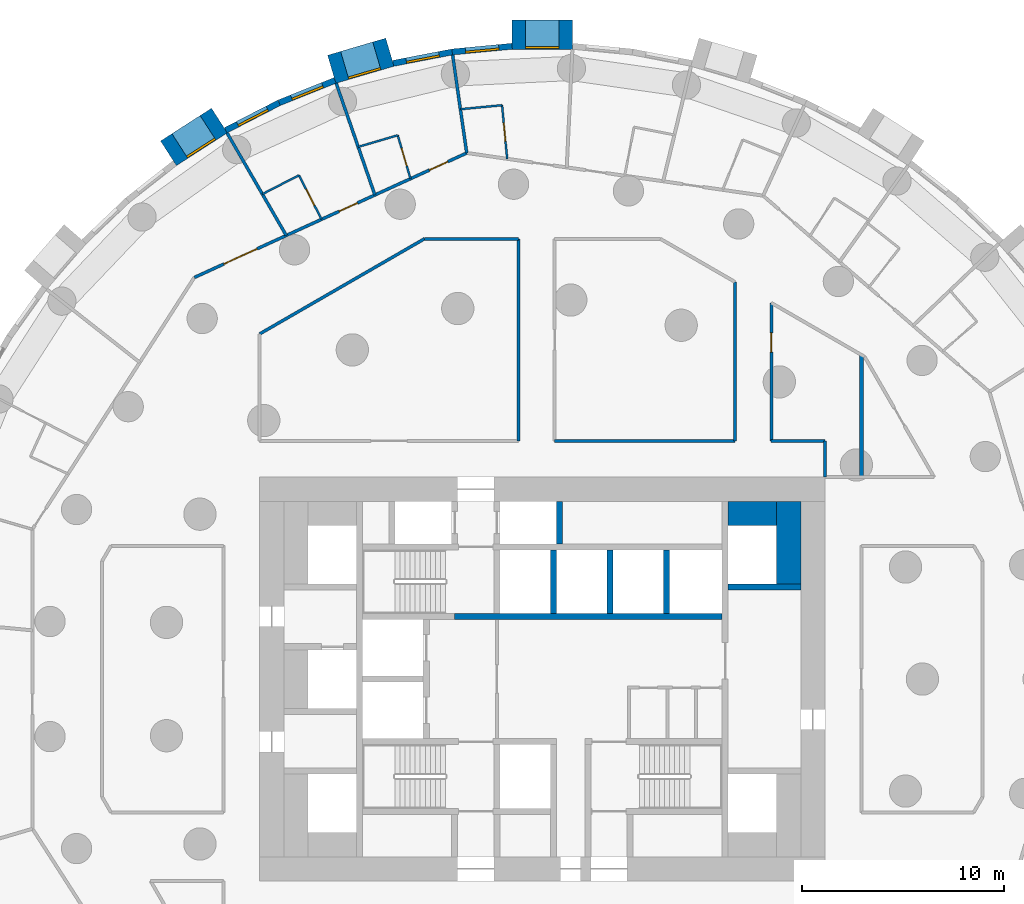
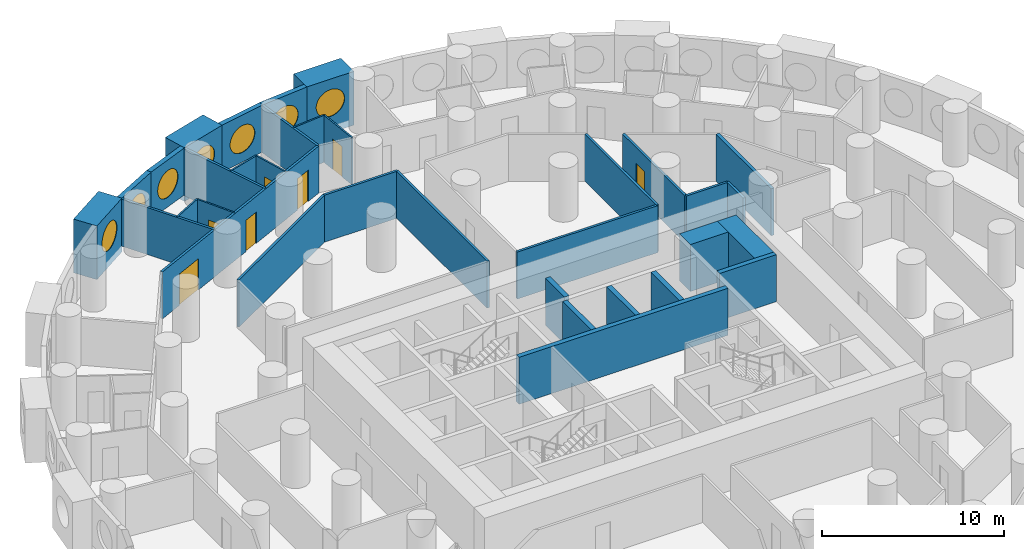
# One storey, part 8 of 12: 34 walls, 7 doors, 7 windows, 14 openings.
"""IFC4 building model written with IfcOpenShell, lengths in metres."""

from ifc_helpers import new_model, si_unit, direction, frame, frame_2d, origin, origin_2d, place, context, subcontext, project, spatial, rectangle, circle, extrude, material, layer, layer_set, type_object, element, fill, save


model = new_model("IFC4")

# Units and contexts
model_context = context("Model", 3, precision=1e-05, world=origin(), true_north=direction((0.0, 1.0)))
body_context = subcontext(model_context, "Body", "Model", "MODEL_VIEW")
ifc_project = project(units=[si_unit("LENGTHUNIT", "METRE"), si_unit("AREAUNIT", "SQUARE_METRE"), si_unit("VOLUMEUNIT", "CUBIC_METRE"), si_unit("PLANEANGLEUNIT", "RADIAN"), si_unit("MASSUNIT", "GRAM", prefix="KILO")], contexts=[model_context])

# Site, building, storey
site_placement = place(None, origin())
site = spatial("IfcSite", under=ifc_project, at=site_placement, CompositionType="ELEMENT")
building_placement = place(site_placement, origin())
building = spatial("IfcBuilding", under=site, at=building_placement, Name="Tracery Tower", CompositionType="ELEMENT")
storey_placement = place(building_placement, frame((0.0, 0.0, 57.0)))
storey = spatial("IfcBuildingStorey", under=building, at=storey_placement, Name="L13", CompositionType="ELEMENT", Elevation=57.0)

# Walls
ifc_material_1 = material(Name="Concrete C60/75", Category="concrete")
ifc_layer_1 = layer(ifc_material_1, 1.199951171875)
ifc_layer_set_1 = layer_set([ifc_layer_1], Name="Core strip wall 1200 C60")
wall_type_1 = type_object("IfcWallType", Name="Core strip wall 1200 C60", PredefinedType="SOLIDWALL", material=ifc_layer_set_1)
wall_1_placement = place(storey_placement, frame((12.199951171875, 4.699951171875, 0.0), z_axis=(0.0, 0.0, 1.0), x_axis=(0.0, 1.0, 0.0)))
element("IfcWall", 1, at=wall_1_placement, inside=storey, type_object=wall_type_1, Name="L13 wing strip +1 4.55", PredefinedType="SOLIDWALL", context=body_context, shape_type="SweptSolid", body=[
    extrude(rectangle(XDim=4.10009765625, YDim=1.199951171875, at=frame_2d((2.050048828125, 0.0))), origin(), (0.0, 0.0, 1.0), 3.14990234375),
])
wall_2_placement = place(storey_placement, frame((9.199951171875, 8.199951171875, 0.0), z_axis=(0.0, 0.0, 1.0), x_axis=(1.0, 0.0, 0.0)))
element("IfcWall", 2, at=wall_2_placement, inside=storey, type_object=wall_type_1, Name="L13 wing corner +1 +8.2", PredefinedType="SOLIDWALL", context=body_context, shape_type="SweptSolid", body=[
    extrude(rectangle(XDim=2.400146484375, YDim=1.199951171875, at=frame_2d((1.2001953125, 0.0))), origin(), (0.0, 0.0, 1.0), 3.14990234375),
])

# Wall, opening, window
ifc_material_2 = material(Name="Precast concrete C50/60", Category="concrete")
ifc_layer_2 = layer(ifc_material_2, 1.449951171875)
ifc_layer_set_2 = layer_set([ifc_layer_2], Name="Deep-set bay unit 3000 x 3600, slab edge 450")
wall_type_2 = type_object("IfcWallType", Name="Deep-set bay unit 3000 x 3600, slab edge 450", PredefinedType="ELEMENTEDWALL", material=ifc_layer_set_2)
wall_3_placement = place(storey_placement, frame((1.5, 31.913818359375, -0.449951171875), z_axis=(0.0, 0.0, 1.0), x_axis=(-1.0, 0.0, 0.0)))
wall_3 = element("IfcWall", 3, at=wall_3_placement, inside=storey, type_object=wall_type_2, Name="Deep-set bay unit 17 at L13", PredefinedType="ELEMENTEDWALL", context=body_context, shape_type="SweptSolid", body=[
    extrude(rectangle(XDim=3.0, YDim=1.449951171875, at=frame_2d((1.5, 0.0))), origin(), (0.0, 0.0, 1.0), 3.599853515625),
])
opening_1_placement = place(wall_3_placement, frame((1.5, 0.0, 2.0)))
opening_1 = element("IfcOpeningElement", 4, at=opening_1_placement, cuts=wall_3, Name="Opening WN1", PredefinedType="OPENING", context=body_context, shape_type="SweptSolid", body=[
    extrude(circle(Radius=0.9000244140625, at=origin_2d()), frame((0.0, 0.73486328125, 0.0), z_axis=(0.0, -1.0, 0.0), x_axis=(1.0, 0.0, 0.0)), (0.0, 0.0, 1.0), 1.469970703125),
])
ifc_material_3 = material(Name="Aluminium frame with tinted double glazing", Category="aluminium")
window_type = type_object("IfcWindowType", Name="Round window 1800", PartitioningType="SINGLE_PANEL", PredefinedType="WINDOW", material=ifc_material_3)
window_1_placement = place(opening_1_placement, origin())
window_1 = element("IfcWindow", 5, at=window_1_placement, inside=storey, type_object=window_type, Name="Round window 17 at L13", OverallHeight=1.800048828125, OverallWidth=1.800048828125, PartitioningType="SINGLE_PANEL", PredefinedType="WINDOW", context=body_context, shape_type="SweptSolid", body=[
    extrude(circle(Radius=0.9000244140625, at=origin_2d()), frame((0.0, 0.69482421875, 0.0), z_axis=(0.0, -1.0, 0.0), x_axis=(1.0, 0.0, 0.0)), (0.0, 0.0, 1.0), 0.10009765625),
])
fill(opening_1, window_1)

wall_4_placement = place(storey_placement, frame((-7.552001953125, 31.043701171875, -0.449951171875), z_axis=(0.0, 0.0, 1.0), x_axis=(-0.959489813418, -0.281743319258, 0.0)))
wall_4 = element("IfcWall", 6, at=wall_4_placement, inside=storey, type_object=wall_type_2, Name="Deep-set bay unit 20 at L13", PredefinedType="ELEMENTEDWALL", context=body_context, shape_type="SweptSolid", body=[
    extrude(rectangle(XDim=3.0, YDim=1.449951171875, at=frame_2d((1.5, 0.0))), origin(), (0.0, 0.0, 1.0), 3.599853515625),
])
opening_2_placement = place(wall_4_placement, frame((1.5, 0.0, 2.0)))
opening_2 = element("IfcOpeningElement", 7, at=opening_2_placement, cuts=wall_4, Name="Opening WN1", PredefinedType="OPENING", context=body_context, shape_type="SweptSolid", body=[
    extrude(circle(Radius=0.9000244140625, at=origin_2d()), frame((0.0, 0.73486328125, 0.0), z_axis=(0.0, -1.0, 0.0), x_axis=(1.0, 0.0, 0.0)), (0.0, 0.0, 1.0), 1.469970703125),
])
window_2_placement = place(opening_2_placement, origin())
window_2 = element("IfcWindow", 8, at=window_2_placement, inside=storey, type_object=window_type, Name="Round window 20 at L13", OverallHeight=1.800048828125, OverallWidth=1.800048828125, PartitioningType="SINGLE_PANEL", PredefinedType="WINDOW", context=body_context, shape_type="SweptSolid", body=[
    extrude(circle(Radius=0.9000244140625, at=origin_2d()), frame((0.0, 0.69482421875, 0.0), z_axis=(0.0, -1.0, 0.0), x_axis=(1.0, 0.0, 0.0)), (0.0, 0.0, 1.0), 0.10009765625),
])
fill(opening_2, window_2)

wall_5_placement = place(storey_placement, frame((-15.9921875, 27.65869140625, -0.449951171875), z_axis=(0.0, 0.0, 1.0), x_axis=(-0.841223422347, -0.540687667415, 0.0)))
wall_5 = element("IfcWall", 9, at=wall_5_placement, inside=storey, type_object=wall_type_2, Name="Deep-set bay unit 23 at L13", PredefinedType="ELEMENTEDWALL", context=body_context, shape_type="SweptSolid", body=[
    extrude(rectangle(XDim=3.0, YDim=1.449951171875, at=frame_2d((1.5, 0.0))), origin(), (0.0, 0.0, 1.0), 3.599853515625),
])
opening_3_placement = place(wall_5_placement, frame((1.5, 0.0, 2.0)))
opening_3 = element("IfcOpeningElement", 10, at=opening_3_placement, cuts=wall_5, Name="Opening WN1", PredefinedType="OPENING", context=body_context, shape_type="SweptSolid", body=[
    extrude(circle(Radius=0.9000244140625, at=origin_2d()), frame((0.0, 0.73486328125, 0.0), z_axis=(0.0, -1.0, 0.0), x_axis=(1.0, 0.0, 0.0)), (0.0, 0.0, 1.0), 1.469970703125),
])
window_3_placement = place(opening_3_placement, origin())
window_3 = element("IfcWindow", 11, at=window_3_placement, inside=storey, type_object=window_type, Name="Round window 23 at L13", OverallHeight=1.800048828125, OverallWidth=1.800048828125, PartitioningType="SINGLE_PANEL", PredefinedType="WINDOW", context=body_context, shape_type="SweptSolid", body=[
    extrude(circle(Radius=0.9000244140625, at=origin_2d()), frame((0.0, 0.69482421875, 0.0), z_axis=(0.0, -1.0, 0.0), x_axis=(1.0, 0.0, 0.0)), (0.0, 0.0, 1.0), 0.10009765625),
])
fill(opening_3, window_3)

ifc_material_4 = material(Name="Precast concrete C50/60", Category="concrete")
ifc_layer_3 = layer(ifc_material_4, 0.300048828125)
ifc_layer_set_3 = layer_set([ifc_layer_3], Name="Facade panel 3000 x 3150")
wall_type_3 = type_object("IfcWallType", Name="Facade panel 3000 x 3150", PredefinedType="SOLIDWALL", material=ifc_layer_set_3)
wall_6_placement = place(storey_placement, frame((-1.498779296875, 31.33837890625, 0.0), z_axis=(0.0, 0.0, 1.0), x_axis=(-0.995473351551, -0.095041077185, 0.0)))
wall_6 = element("IfcWall", 12, at=wall_6_placement, inside=storey, type_object=wall_type_3, Name="Facade panel 18 at L13", PredefinedType="SOLIDWALL", context=body_context, shape_type="SweptSolid", body=[
    extrude(rectangle(XDim=2.979736328125, YDim=0.300048828125, at=frame_2d((1.48974609375, 0.0))), origin(), (0.0, 0.0, 1.0), 3.14990234375),
])
opening_4_placement = place(wall_6_placement, frame((1.48974609375, 0.0, 1.5498046875)))
opening_4 = element("IfcOpeningElement", 13, at=opening_4_placement, cuts=wall_6, Name="Opening WN1", PredefinedType="OPENING", context=body_context, shape_type="SweptSolid", body=[
    extrude(circle(Radius=0.9000244140625, at=origin_2d()), frame((0.0, 0.159912109375, 0.0), z_axis=(0.0, -1.0, 0.0), x_axis=(1.0, 0.0, 0.0)), (0.0, 0.0, 1.0), 0.320068359375),
])
window_4_placement = place(opening_4_placement, origin())
window_4 = element("IfcWindow", 14, at=window_4_placement, inside=storey, type_object=window_type, Name="Round window 18 at L13", OverallHeight=1.800048828125, OverallWidth=1.800048828125, PartitioningType="SINGLE_PANEL", PredefinedType="WINDOW", context=body_context, shape_type="SweptSolid", body=[
    extrude(circle(Radius=0.9000244140625, at=origin_2d()), frame((0.0, 0.1201171875, 0.0), z_axis=(0.0, -1.0, 0.0), x_axis=(1.0, 0.0, 0.0)), (0.0, 0.0, 1.0), 0.10009765625),
])
fill(opening_4, window_4)

wall_7_placement = place(storey_placement, frame((-4.465087890625, 31.05517578125, 0.0), z_axis=(0.0, 0.0, 1.0), x_axis=(-0.981924535406, -0.189272836848, 0.0)))
wall_7 = element("IfcWall", 15, at=wall_7_placement, inside=storey, type_object=wall_type_3, Name="Facade panel 19 at L13", PredefinedType="SOLIDWALL", context=body_context, shape_type="SweptSolid", body=[
    extrude(rectangle(XDim=2.979736328125, YDim=0.300048828125, at=frame_2d((1.48974609375, 0.0))), origin(), (0.0, 0.0, 1.0), 3.14990234375),
])
opening_5_placement = place(wall_7_placement, frame((1.48974609375, 0.0, 1.5498046875)))
opening_5 = element("IfcOpeningElement", 16, at=opening_5_placement, cuts=wall_7, Name="Opening WN1", PredefinedType="OPENING", context=body_context, shape_type="SweptSolid", body=[
    extrude(circle(Radius=0.9000244140625, at=origin_2d()), frame((0.0, 0.159912109375, 0.0), z_axis=(0.0, -1.0, 0.0), x_axis=(1.0, 0.0, 0.0)), (0.0, 0.0, 1.0), 0.320068359375),
])
window_5_placement = place(opening_5_placement, origin())
window_5 = element("IfcWindow", 17, at=window_5_placement, inside=storey, type_object=window_type, Name="Round window 19 at L13", OverallHeight=1.800048828125, OverallWidth=1.800048828125, PartitioningType="SINGLE_PANEL", PredefinedType="WINDOW", context=body_context, shape_type="SweptSolid", body=[
    extrude(circle(Radius=0.9000244140625, at=origin_2d()), frame((0.0, 0.1201171875, 0.0), z_axis=(0.0, -1.0, 0.0), x_axis=(1.0, 0.0, 0.0)), (0.0, 0.0, 1.0), 0.10009765625),
])
fill(opening_5, window_5)

wall_8_placement = place(storey_placement, frame((-10.26708984375, 29.646484375, 0.0), z_axis=(0.0, 0.0, 1.0), x_axis=(-0.928403213937, -0.371574316054, 0.0)))
wall_8 = element("IfcWall", 18, at=wall_8_placement, inside=storey, type_object=wall_type_3, Name="Facade panel 21 at L13", PredefinedType="SOLIDWALL", context=body_context, shape_type="SweptSolid", body=[
    extrude(rectangle(XDim=2.979736328125, YDim=0.300048828125, at=frame_2d((1.48974609375, 0.0))), origin(), (0.0, 0.0, 1.0), 3.14990234375),
])
opening_6_placement = place(wall_8_placement, frame((1.48974609375, 0.0, 1.5498046875)))
opening_6 = element("IfcOpeningElement", 19, at=opening_6_placement, cuts=wall_8, Name="Opening WN1", PredefinedType="OPENING", context=body_context, shape_type="SweptSolid", body=[
    extrude(circle(Radius=0.9000244140625, at=origin_2d()), frame((0.0, 0.159912109375, 0.0), z_axis=(0.0, -1.0, 0.0), x_axis=(1.0, 0.0, 0.0)), (0.0, 0.0, 1.0), 0.320068359375),
])
window_6_placement = place(opening_6_placement, origin())
window_6 = element("IfcWindow", 20, at=window_6_placement, inside=storey, type_object=window_type, Name="Round window 21 at L13", OverallHeight=1.800048828125, OverallWidth=1.800048828125, PartitioningType="SINGLE_PANEL", PredefinedType="WINDOW", context=body_context, shape_type="SweptSolid", body=[
    extrude(circle(Radius=0.9000244140625, at=origin_2d()), frame((0.0, 0.1201171875, 0.0), z_axis=(0.0, -1.0, 0.0), x_axis=(1.0, 0.0, 0.0)), (0.0, 0.0, 1.0), 0.10009765625),
])
fill(opening_6, window_6)

wall_9_placement = place(storey_placement, frame((-13.033447265625, 28.539306640625, 0.0), z_axis=(0.0, 0.0, 1.0), x_axis=(-0.888819853856, -0.458256770153, 0.0)))
wall_9 = element("IfcWall", 21, at=wall_9_placement, inside=storey, type_object=wall_type_3, Name="Facade panel 22 at L13", PredefinedType="SOLIDWALL", context=body_context, shape_type="SweptSolid", body=[
    extrude(rectangle(XDim=2.979736328125, YDim=0.300048828125, at=frame_2d((1.48974609375, 0.0))), origin(), (0.0, 0.0, 1.0), 3.14990234375),
])
opening_7_placement = place(wall_9_placement, frame((1.48974609375, 0.0, 1.5498046875)))
opening_7 = element("IfcOpeningElement", 22, at=opening_7_placement, cuts=wall_9, Name="Opening WN1", PredefinedType="OPENING", context=body_context, shape_type="SweptSolid", body=[
    extrude(circle(Radius=0.9000244140625, at=origin_2d()), frame((0.0, 0.159912109375, 0.0), z_axis=(0.0, -1.0, 0.0), x_axis=(1.0, 0.0, 0.0)), (0.0, 0.0, 1.0), 0.320068359375),
])
window_7_placement = place(opening_7_placement, origin())
window_7 = element("IfcWindow", 23, at=window_7_placement, inside=storey, type_object=window_type, Name="Round window 22 at L13", OverallHeight=1.800048828125, OverallWidth=1.800048828125, PartitioningType="SINGLE_PANEL", PredefinedType="WINDOW", context=body_context, shape_type="SweptSolid", body=[
    extrude(circle(Radius=0.9000244140625, at=origin_2d()), frame((0.0, 0.1201171875, 0.0), z_axis=(0.0, -1.0, 0.0), x_axis=(1.0, 0.0, 0.0)), (0.0, 0.0, 1.0), 0.10009765625),
])
fill(opening_7, window_7)

# Wall, opening, door
ifc_material_5 = material(Name="Plasterboard on steel studs", Category="steel")
ifc_layer_4 = layer(ifc_material_5, 0.10009765625)
ifc_layer_set_4 = layer_set([ifc_layer_4], Name="Partition 100 wet wall")
wall_type_4 = type_object("IfcWallType", Name="Partition 100 wet wall", PredefinedType="PARTITIONING", material=ifc_layer_set_4)
wall_10_placement = place(storey_placement, frame((-1.99609375, 28.41796875, 0.0), z_axis=(0.0, 0.0, 1.0), x_axis=(0.094925726797, -0.995484357683, 0.0)))
wall_10 = element("IfcWall", 24, at=wall_10_placement, inside=storey, type_object=wall_type_4, Name="Wet wall RA3-077", PredefinedType="PARTITIONING", context=body_context, shape_type="SweptSolid", body=[
    extrude(rectangle(XDim=2.6669921875, YDim=0.10009765625, at=frame_2d((1.33349609375, 0.0))), origin(), (0.0, 0.0, 1.0), 3.14990234375),
])
opening_8_placement = place(wall_10_placement, frame((0.883056640625, 0.0, 0.0)))
opening_8 = element("IfcOpeningElement", 25, at=opening_8_placement, cuts=wall_10, Name="Opening RA3-22", PredefinedType="OPENING", context=body_context, shape_type="SweptSolid", body=[
    extrude(rectangle(XDim=0.89990234375, YDim=2.0400390625, at=frame_2d((0.449951171875, 1.02001953125))), frame((0.0, 0.050048828125, 0.0), z_axis=(0.0, -1.0, 0.0), x_axis=(1.0, 0.0, 0.0)), (0.0, 0.0, 1.0), 0.10009765625),
])
ifc_material_6 = material(Name="Timber door leaf", Category="wood")
door_type_1 = type_object("IfcDoorType", Name="Door en-suite 900", OperationType="NOTDEFINED", PredefinedType="DOOR", material=ifc_material_6)
door_1_placement = place(opening_8_placement, origin())
door_1 = element("IfcDoor", 26, at=door_1_placement, inside=storey, type_object=door_type_1, Name="En-suite door RA3-22", OperationType="SINGLE_SWING_RIGHT", OverallHeight=2.0400390625, OverallWidth=0.89990234375, PredefinedType="DOOR", context=body_context, shape_type="SweptSolid", body=[
    extrude(rectangle(XDim=0.89990234375, YDim=2.0400390625, at=frame_2d((0.449951171875, 1.02001953125))), frame((0.0, 0.02490234375, 0.0), z_axis=(0.0, -1.0, 0.0), x_axis=(1.0, 0.0, 0.0)), (0.0, 0.0, 1.0), 0.050048828125),
])
fill(opening_8, door_1)

# Wall
wall_11_placement = place(storey_placement, frame((-4.05810546875, 28.220947265625, 0.0), z_axis=(0.0, 0.0, 1.0), x_axis=(0.995466291052, 0.095115000814, 0.0)))
element("IfcWall", 27, at=wall_11_placement, inside=storey, type_object=wall_type_4, Name="Wet wall RA3-078", PredefinedType="PARTITIONING", context=body_context, shape_type="SweptSolid", body=[
    extrude(rectangle(XDim=2.0712890625, YDim=0.10009765625, at=frame_2d((1.03564453125, 0.0))), origin(), (0.0, 0.0, 1.0), 3.14990234375),
])

# Wall, opening, door
wall_12_placement = place(storey_placement, frame((-7.1630859375, 26.929931640625, 0.0), z_axis=(0.0, 0.0, 1.0), x_axis=(0.281948165188, -0.959429638977, 0.0)))
wall_12 = element("IfcWall", 28, at=wall_12_placement, inside=storey, type_object=wall_type_4, Name="Wet wall RA3-080", PredefinedType="PARTITIONING", context=body_context, shape_type="SweptSolid", body=[
    extrude(rectangle(XDim=2.241943359375, YDim=0.10009765625, at=frame_2d((1.12109375, 0.0))), origin(), (0.0, 0.0, 1.0), 3.14990234375),
])
opening_9_placement = place(wall_12_placement, frame((0.6708984375, 0.0, 0.0)))
opening_9 = element("IfcOpeningElement", 29, at=opening_9_placement, cuts=wall_12, Name="Opening RA3-24", PredefinedType="OPENING", context=body_context, shape_type="SweptSolid", body=[
    extrude(rectangle(XDim=0.89990234375, YDim=2.0400390625, at=frame_2d((0.449951171875, 1.02001953125))), frame((0.0, 0.050048828125, 0.0), z_axis=(0.0, -1.0, 0.0), x_axis=(1.0, 0.0, 0.0)), (0.0, 0.0, 1.0), 0.10009765625),
])
door_2_placement = place(opening_9_placement, origin())
door_2 = element("IfcDoor", 30, at=door_2_placement, inside=storey, type_object=door_type_1, Name="En-suite door RA3-24", OperationType="SINGLE_SWING_RIGHT", OverallHeight=2.0400390625, OverallWidth=0.89990234375, PredefinedType="DOOR", context=body_context, shape_type="SweptSolid", body=[
    extrude(rectangle(XDim=0.89990234375, YDim=2.0400390625, at=frame_2d((0.449951171875, 1.02001953125))), frame((0.0, 0.02490234375, 0.0), z_axis=(0.0, -1.0, 0.0), x_axis=(1.0, 0.0, 0.0)), (0.0, 0.0, 1.0), 0.050048828125),
])
fill(opening_9, door_2)

# Wall
wall_13_placement = place(storey_placement, frame((-9.12109375, 26.35498046875, 0.0), z_axis=(0.0, 0.0, 1.0), x_axis=(0.95948923736, 0.281745281045, 0.0)))
element("IfcWall", 31, at=wall_13_placement, inside=storey, type_object=wall_type_4, Name="Wet wall RA3-081", PredefinedType="PARTITIONING", context=body_context, shape_type="SweptSolid", body=[
    extrude(rectangle(XDim=2.040771484375, YDim=0.10009765625, at=frame_2d((1.0205078125, 0.0))), origin(), (0.0, 0.0, 1.0), 3.14990234375),
])

# Wall, opening, door
wall_14_placement = place(storey_placement, frame((-12.05810546875, 24.947998046875, 0.0), z_axis=(0.0, 0.0, 1.0), x_axis=(0.458287904527, -0.888803800939, 0.0)))
wall_14 = element("IfcWall", 32, at=wall_14_placement, inside=storey, type_object=wall_type_4, Name="Wet wall RA3-083", PredefinedType="PARTITIONING", context=body_context, shape_type="SweptSolid", body=[
    extrude(rectangle(XDim=2.45263671875, YDim=0.10009765625, at=frame_2d((1.226318359375, 0.0))), origin(), (0.0, 0.0, 1.0), 3.14990234375),
])
opening_10_placement = place(wall_14_placement, frame((0.776611328125, 0.0, 0.0)))
opening_10 = element("IfcOpeningElement", 33, at=opening_10_placement, cuts=wall_14, Name="Opening RA3-26", PredefinedType="OPENING", context=body_context, shape_type="SweptSolid", body=[
    extrude(rectangle(XDim=0.89990234375, YDim=2.0400390625, at=frame_2d((0.449951171875, 1.02001953125))), frame((0.0, 0.050048828125, 0.0), z_axis=(0.0, -1.0, 0.0), x_axis=(1.0, 0.0, 0.0)), (0.0, 0.0, 1.0), 0.10009765625),
])
door_3_placement = place(opening_10_placement, origin())
door_3 = element("IfcDoor", 34, at=door_3_placement, inside=storey, type_object=door_type_1, Name="En-suite door RA3-26", OperationType="SINGLE_SWING_LEFT", OverallHeight=2.0400390625, OverallWidth=0.89990234375, PredefinedType="DOOR", context=body_context, shape_type="SweptSolid", body=[
    extrude(rectangle(XDim=0.89990234375, YDim=2.0400390625, at=frame_2d((0.449951171875, 1.02001953125))), frame((0.0, 0.02490234375, 0.0), z_axis=(0.0, -1.0, 0.0), x_axis=(1.0, 0.0, 0.0)), (0.0, 0.0, 1.0), 0.050048828125),
])
fill(opening_10, door_3)

# Walls
wall_15_placement = place(storey_placement, frame((-13.865966796875, 24.01611328125, 0.0), z_axis=(0.0, 0.0, 1.0), x_axis=(0.888861985525, 0.45817504372, 0.0)))
element("IfcWall", 35, at=wall_15_placement, inside=storey, type_object=wall_type_4, Name="Wet wall RA3-084", PredefinedType="PARTITIONING", context=body_context, shape_type="SweptSolid", body=[
    extrude(rectangle(XDim=2.033935546875, YDim=0.10009765625, at=frame_2d((1.01708984375, 0.0))), origin(), (0.0, 0.0, 1.0), 3.14990234375),
])
ifc_material_7 = material(Name="Plasterboard on steel studs", Category="steel")
ifc_layer_5 = layer(ifc_material_7, 0.14990234375)
ifc_layer_set_5 = layer_set([ifc_layer_5], Name="Partition 150 acoustic unit wall")
wall_type_5 = type_object("IfcWallType", Name="Partition 150 acoustic unit wall", PredefinedType="PARTITIONING", material=ifc_layer_set_5)
wall_16_placement = place(storey_placement, frame((-4.444091796875, 30.906005859375, 0.0), z_axis=(0.0, 0.0, 1.0), x_axis=(0.142104219222, -0.989851701458, 0.0)))
element("IfcWall", 36, at=wall_16_placement, inside=storey, type_object=wall_type_5, Name="Unit wall RA3-079", PredefinedType="PARTITIONING", context=body_context, shape_type="SweptSolid", body=[
    extrude(rectangle(XDim=4.905029296875, YDim=0.14990234375, at=frame_2d((2.45263671875, 0.0))), origin(), (0.0, 0.0, 1.0), 3.14990234375),
])
wall_17_placement = place(storey_placement, frame((-10.2119140625, 29.507080078125, 0.0), z_axis=(0.0, 0.0, 1.0), x_axis=(0.327223665968, -0.944946915139, 0.0)))
element("IfcWall", 37, at=wall_17_placement, inside=storey, type_object=wall_type_5, Name="Unit wall RA3-082", PredefinedType="PARTITIONING", context=body_context, shape_type="SweptSolid", body=[
    extrude(rectangle(XDim=5.85693359375, YDim=0.14990234375, at=frame_2d((2.928466796875, 0.0))), origin(), (0.0, 0.0, 1.0), 3.14990234375),
])
wall_18_placement = place(storey_placement, frame((-15.612060546875, 27.041015625, 0.0), z_axis=(0.0, 0.0, 1.0), x_axis=(0.499905289531, -0.866080077994, 0.0)))
element("IfcWall", 38, at=wall_18_placement, inside=storey, type_object=wall_type_5, Name="Unit wall RA3-085", PredefinedType="PARTITIONING", context=body_context, shape_type="SweptSolid", body=[
    extrude(rectangle(XDim=5.856689453125, YDim=0.14990234375, at=frame_2d((2.92822265625, 0.0))), origin(), (0.0, 0.0, 1.0), 3.14990234375),
])
ifc_material_8 = material(Name="Plasterboard on steel studs", Category="steel")
ifc_layer_6 = layer(ifc_material_8, 0.14990234375)
ifc_layer_set_6 = layer_set([ifc_layer_6], Name="Partition 150 corridor wall")
wall_type_6 = type_object("IfcWallType", Name="Partition 150 corridor wall", PredefinedType="PARTITIONING", material=ifc_layer_set_6)
wall_19_placement = place(storey_placement, frame((0.60400390625, 11.800048828125, 0.0), z_axis=(0.0, 0.0, 1.0), x_axis=(1.0, 0.0, 0.0)))
element("IfcWall", 39, at=wall_19_placement, inside=storey, type_object=wall_type_6, Name="Corridor wall RA3-002", PredefinedType="PARTITIONING", context=body_context, shape_type="SweptSolid", body=[
    extrude(rectangle(XDim=8.93603515625, YDim=0.14990234375, at=frame_2d((4.468017578125, 0.0))), origin(), (0.0, 0.0, 1.0), 3.14990234375),
])
wall_20_placement = place(storey_placement, frame((11.33203125, 11.800048828125, 0.0), z_axis=(0.0, 0.0, 1.0), x_axis=(1.0, 0.0, 0.0)))
element("IfcWall", 40, at=wall_20_placement, inside=storey, type_object=wall_type_6, Name="Corridor wall RA3-003", PredefinedType="PARTITIONING", context=body_context, shape_type="SweptSolid", body=[
    extrude(rectangle(XDim=2.66796875, YDim=0.14990234375, at=frame_2d((1.333984375, 0.0))), origin(), (0.0, 0.0, 1.0), 3.14990234375),
])
wall_21_placement = place(storey_placement, frame((14.0, 10.0, 0.0), z_axis=(0.0, 0.0, 1.0), x_axis=(0.0, 1.0, 0.0)))
element("IfcWall", 41, at=wall_21_placement, inside=storey, type_object=wall_type_6, Name="Corridor wall RA3-004", PredefinedType="PARTITIONING", context=body_context, shape_type="SweptSolid", body=[
    extrude(rectangle(XDim=1.800048828125, YDim=0.14990234375, at=frame_2d((0.89990234375, 0.0))), origin(), (0.0, 0.0, 1.0), 3.14990234375),
])
wall_22_placement = place(storey_placement, frame((-1.19189453125, 11.800048828125, 0.0), z_axis=(0.0, 0.0, 1.0), x_axis=(0.0, 1.0, 0.0)))
element("IfcWall", 42, at=wall_22_placement, inside=storey, type_object=wall_type_6, Name="Corridor wall RA3-025", PredefinedType="PARTITIONING", context=body_context, shape_type="SweptSolid", body=[
    extrude(rectangle(XDim=10.001953125, YDim=0.14990234375, at=frame_2d((5.0009765625, 0.0))), origin(), (0.0, 0.0, 1.0), 3.14990234375),
])
wall_23_placement = place(storey_placement, frame((-5.842041015625, 21.802001953125, 0.0), z_axis=(0.0, 0.0, 1.0), x_axis=(1.0, 0.0, 0.0)))
element("IfcWall", 43, at=wall_23_placement, inside=storey, type_object=wall_type_6, Name="Corridor wall RA3-026", PredefinedType="PARTITIONING", context=body_context, shape_type="SweptSolid", body=[
    extrude(rectangle(XDim=4.650146484375, YDim=0.14990234375, at=frame_2d((2.3251953125, 0.0))), origin(), (0.0, 0.0, 1.0), 3.14990234375),
])
wall_24_placement = place(storey_placement, frame((-14.0, 17.092041015625, 0.0), z_axis=(0.0, 0.0, 1.0), x_axis=(0.86602719091, 0.499996904595, 0.0)))
element("IfcWall", 44, at=wall_24_placement, inside=storey, type_object=wall_type_6, Name="Corridor wall RA3-027", PredefinedType="PARTITIONING", context=body_context, shape_type="SweptSolid", body=[
    extrude(rectangle(XDim=9.419921875, YDim=0.14990234375, at=frame_2d((4.7099609375, 0.0))), origin(), (0.0, 0.0, 1.0), 3.14990234375),
])
wall_25_placement = place(storey_placement, frame((9.535888671875, 11.800048828125, 0.0), z_axis=(0.0, 0.0, 1.0), x_axis=(0.0, 1.0, 0.0)))
element("IfcWall", 45, at=wall_25_placement, inside=storey, type_object=wall_type_6, Name="Corridor wall RA3-029", PredefinedType="PARTITIONING", context=body_context, shape_type="SweptSolid", body=[
    extrude(rectangle(XDim=7.868896484375, YDim=0.14990234375, at=frame_2d((3.9345703125, 0.0))), origin(), (0.0, 0.0, 1.0), 3.14990234375),
])

# Wall, opening, door
wall_26_placement = place(storey_placement, frame((11.3359375, 11.800048828125, 0.0), z_axis=(0.0, 0.0, 1.0), x_axis=(0.0, 1.0, 0.0)))
wall_26 = element("IfcWall", 46, at=wall_26_placement, inside=storey, type_object=wall_type_6, Name="Corridor wall RA3-034", PredefinedType="PARTITIONING", context=body_context, shape_type="SweptSolid", body=[
    extrude(rectangle(XDim=6.829833984375, YDim=0.14990234375, at=frame_2d((3.4150390625, 0.0))), origin(), (0.0, 0.0, 1.0), 3.14990234375),
])
opening_11_placement = place(wall_26_placement, frame((4.389892578125, 0.0, 0.0)))
opening_11 = element("IfcOpeningElement", 47, at=opening_11_placement, cuts=wall_26, Name="Opening RA3-03", PredefinedType="OPENING", context=body_context, shape_type="SweptSolid", body=[
    extrude(rectangle(XDim=0.949951171875, YDim=2.10009765625, at=frame_2d((0.47509765625, 1.050048828125))), frame((0.0, 0.074951171875, 0.0), z_axis=(0.0, -1.0, 0.0), x_axis=(1.0, 0.0, 0.0)), (0.0, 0.0, 1.0), 0.14990234375),
])
ifc_material_9 = material(Name="Timber door leaf", Category="wood")
door_type_2 = type_object("IfcDoorType", Name="Door store 950", OperationType="NOTDEFINED", PredefinedType="DOOR", material=ifc_material_9)
door_4_placement = place(opening_11_placement, origin())
door_4 = element("IfcDoor", 48, at=door_4_placement, inside=storey, type_object=door_type_2, Name="Store door RA3-03", OperationType="SINGLE_SWING_LEFT", OverallHeight=2.10009765625, OverallWidth=0.949951171875, PredefinedType="DOOR", context=body_context, shape_type="SweptSolid", body=[
    extrude(rectangle(XDim=0.949951171875, YDim=2.10009765625, at=frame_2d((0.47509765625, 1.050048828125))), frame((0.0, 0.02490234375, 0.0), z_axis=(0.0, -1.0, 0.0), x_axis=(1.0, 0.0, 0.0)), (0.0, 0.0, 1.0), 0.050048828125),
])
fill(opening_11, door_4)

# Wall, openings, doors
wall_27_placement = place(storey_placement, frame((-17.23388671875, 19.8876953125, 0.0), z_axis=(0.0, 0.0, 1.0), x_axis=(0.90953867323, 0.415619299238, 0.0)))
wall_27 = element("IfcWall", 49, at=wall_27_placement, inside=storey, type_object=wall_type_6, Name="Corridor wall RA3-036", PredefinedType="PARTITIONING", context=body_context, shape_type="SweptSolid", body=[
    extrude(rectangle(XDim=14.829345703125, YDim=0.14990234375, at=frame_2d((7.41455078125, 0.0))), origin(), (0.0, 0.0, 1.0), 3.14990234375),
])
opening_12_placement = place(wall_27_placement, frame((12.797119140625, 0.0, 0.0)))
opening_12 = element("IfcOpeningElement", 50, at=opening_12_placement, cuts=wall_27, Name="Opening RA3-25", PredefinedType="OPENING", context=body_context, shape_type="SweptSolid", body=[
    extrude(rectangle(XDim=1.0, YDim=2.10009765625, at=frame_2d((0.5, 1.050048828125))), frame((0.0, 0.074951171875, 0.0), z_axis=(0.0, -1.0, 0.0), x_axis=(1.0, 0.0, 0.0)), (0.0, 0.0, 1.0), 0.14990234375),
])
opening_13_placement = place(wall_27_placement, frame((7.876708984375, 0.0, 0.0)))
opening_13 = element("IfcOpeningElement", 51, at=opening_13_placement, cuts=wall_27, Name="Opening RA3-27", PredefinedType="OPENING", context=body_context, shape_type="SweptSolid", body=[
    extrude(rectangle(XDim=1.0, YDim=2.10009765625, at=frame_2d((0.5, 1.050048828125))), frame((0.0, 0.074951171875, 0.0), z_axis=(0.0, -1.0, 0.0), x_axis=(1.0, 0.0, 0.0)), (0.0, 0.0, 1.0), 0.14990234375),
])
opening_14_placement = place(wall_27_placement, frame((1.60400390625, 0.0, 0.0)))
opening_14 = element("IfcOpeningElement", 52, at=opening_14_placement, cuts=wall_27, Name="Opening RA3-28", PredefinedType="OPENING", context=body_context, shape_type="SweptSolid", body=[
    extrude(rectangle(XDim=1.800048828125, YDim=2.10009765625, at=frame_2d((0.89990234375, 1.050048828125))), frame((0.0, 0.074951171875, 0.0), z_axis=(0.0, -1.0, 0.0), x_axis=(1.0, 0.0, 0.0)), (0.0, 0.0, 1.0), 0.14990234375),
])
ifc_material_10 = material(Name="Timber door leaf", Category="wood")
door_type_3 = type_object("IfcDoorType", Name="Door double lounge 1800", OperationType="NOTDEFINED", PredefinedType="DOOR", material=ifc_material_10)
door_5_placement = place(opening_14_placement, origin())
door_5 = element("IfcDoor", 53, at=door_5_placement, inside=storey, type_object=door_type_3, Name="Double lounge door RA3-28", OperationType="DOUBLE_DOOR_SINGLE_SWING", OverallHeight=2.10009765625, OverallWidth=1.800048828125, PredefinedType="DOOR", context=body_context, shape_type="SweptSolid", body=[
    extrude(rectangle(XDim=1.800048828125, YDim=2.10009765625, at=frame_2d((0.89990234375, 1.050048828125))), frame((0.0, 0.02490234375, 0.0), z_axis=(0.0, -1.0, 0.0), x_axis=(1.0, 0.0, 0.0)), (0.0, 0.0, 1.0), 0.050048828125),
])
fill(opening_14, door_5)
ifc_material_11 = material(Name="Timber door leaf", Category="wood")
door_type_4 = type_object("IfcDoorType", Name="Door unit entrance 1000", OperationType="NOTDEFINED", PredefinedType="DOOR", material=ifc_material_11)
door_6_placement = place(opening_12_placement, origin())
door_6 = element("IfcDoor", 54, at=door_6_placement, inside=storey, type_object=door_type_4, Name="Unit entrance door RA3-25", OperationType="SINGLE_SWING_RIGHT", OverallHeight=2.10009765625, OverallWidth=1.0, PredefinedType="DOOR", context=body_context, shape_type="SweptSolid", body=[
    extrude(rectangle(XDim=1.0, YDim=2.10009765625, at=frame_2d((0.5, 1.050048828125))), frame((0.0, 0.02490234375, 0.0), z_axis=(0.0, -1.0, 0.0), x_axis=(1.0, 0.0, 0.0)), (0.0, 0.0, 1.0), 0.050048828125),
])
fill(opening_12, door_6)
door_7_placement = place(opening_13_placement, origin())
door_7 = element("IfcDoor", 55, at=door_7_placement, inside=storey, type_object=door_type_4, Name="Unit entrance door RA3-27", OperationType="SINGLE_SWING_LEFT", OverallHeight=2.10009765625, OverallWidth=1.0, PredefinedType="DOOR", context=body_context, shape_type="SweptSolid", body=[
    extrude(rectangle(XDim=1.0, YDim=2.10009765625, at=frame_2d((0.5, 1.050048828125))), frame((0.0, 0.02490234375, 0.0), z_axis=(0.0, -1.0, 0.0), x_axis=(1.0, 0.0, 0.0)), (0.0, 0.0, 1.0), 0.050048828125),
])
fill(opening_13, door_7)

# Walls
ifc_material_12 = material(Name="Plasterboard on steel studs", Category="steel")
ifc_layer_7 = layer(ifc_material_12, 0.199951171875)
ifc_layer_set_7 = layer_set([ifc_layer_7], Name="Partition 200 compartment wall")
wall_type_7 = type_object("IfcWallType", Name="Partition 200 compartment wall", PredefinedType="PARTITIONING", material=ifc_layer_set_7)
wall_28_placement = place(storey_placement, frame((15.800048828125, 10.0, 0.0), z_axis=(0.0, 0.0, 1.0), x_axis=(0.0, 1.0, 0.0)))
element("IfcWall", 56, at=wall_28_placement, inside=storey, type_object=wall_type_7, Name="Compartment wall RA3-058", PredefinedType="PARTITIONING", context=body_context, shape_type="SweptSolid", body=[
    extrude(rectangle(XDim=6.052978515625, YDim=0.199951171875, at=frame_2d((3.0263671875, 0.0))), origin(), (0.0, 0.0, 1.0), 3.14990234375),
])
ifc_material_13 = material(Name="Concrete C60/75", Category="concrete")
ifc_layer_8 = layer(ifc_material_13, 0.300048828125)
ifc_layer_set_8 = layer_set([ifc_layer_8], Name="Shaft wall 300 C60")
wall_type_8 = type_object("IfcWallType", Name="Shaft wall 300 C60", PredefinedType="SOLIDWALL", material=ifc_layer_set_8)
for number, where, z_axis, x_axis, name in (
    (57, (0.550048828125, 3.25, 0.0), (0.0, 0.0, 1.0), (0.0, 1.0, 0.0), "L13 HR sep 1"),
    (58, (3.35009765625, 3.25, 0.0), (0.0, 0.0, 1.0), (0.0, 1.0, 0.0), "L13 HR sep 2"),
    (59, (6.14990234375, 3.25, 0.0), (0.0, 0.0, 1.0), (0.0, 1.0, 0.0), "L13 HR sep 3"),
):
    element("IfcWall", number, at=place(storey_placement, frame(where, z_axis=z_axis, x_axis=x_axis)), inside=storey, type_object=wall_type_8, Name=name, PredefinedType="SOLIDWALL", context=body_context, shape_type="SweptSolid", body=[
        extrude(rectangle(XDim=3.14990234375, YDim=0.300048828125, at=frame_2d((1.574951171875, 0.0))), origin(), (0.0, 0.0, 1.0), 3.14990234375),
    ])
wall_29_placement = place(storey_placement, frame((0.85009765625, 6.699951171875, 0.0), z_axis=(0.0, 0.0, 1.0), x_axis=(0.0, 1.0, 0.0)))
element("IfcWall", 60, at=wall_29_placement, inside=storey, type_object=wall_type_8, Name="L13 LR sep 0.85", PredefinedType="SOLIDWALL", context=body_context, shape_type="SweptSolid", body=[
    extrude(rectangle(XDim=2.10009765625, YDim=0.300048828125, at=frame_2d((1.050048828125, 0.0))), origin(), (0.0, 0.0, 1.0), 3.14990234375),
])
wall_30_placement = place(storey_placement, frame((9.199951171875, 4.550048828125, 0.0), z_axis=(0.0, 0.0, 1.0), x_axis=(1.0, 0.0, 0.0)))
element("IfcWall", 61, at=wall_30_placement, inside=storey, type_object=wall_type_8, Name="L13 wing shaft wall +1 +4.55", PredefinedType="SOLIDWALL", context=body_context, shape_type="SweptSolid", body=[
    extrude(rectangle(XDim=3.60009765625, YDim=0.300048828125, at=frame_2d((1.800048828125, 0.0))), origin(), (0.0, 0.0, 1.0), 3.14990234375),
])
ifc_material_14 = material(Name="Concrete C60/75", Category="concrete")
ifc_layer_9 = layer(ifc_material_14, 0.300048828125)
ifc_layer_set_9 = layer_set([ifc_layer_9], Name="Stair wall 300 C60")
wall_type_9 = type_object("IfcWallType", Name="Stair wall 300 C60", PredefinedType="SOLIDWALL", material=ifc_layer_set_9)
wall_31_placement = place(storey_placement, frame((-4.35009765625, 3.10009765625, 0.0), z_axis=(0.0, 0.0, 1.0), x_axis=(1.0, 0.0, 0.0)))
element("IfcWall", 62, at=wall_31_placement, inside=storey, type_object=wall_type_9, Name="L13 row N", PredefinedType="SOLIDWALL", context=body_context, shape_type="SweptSolid", body=[
    extrude(rectangle(XDim=13.25, YDim=0.300048828125, at=frame_2d((6.625, 0.0))), origin(), (0.0, 0.0, 1.0), 3.14990234375),
])

save(model, "model.ifc")
